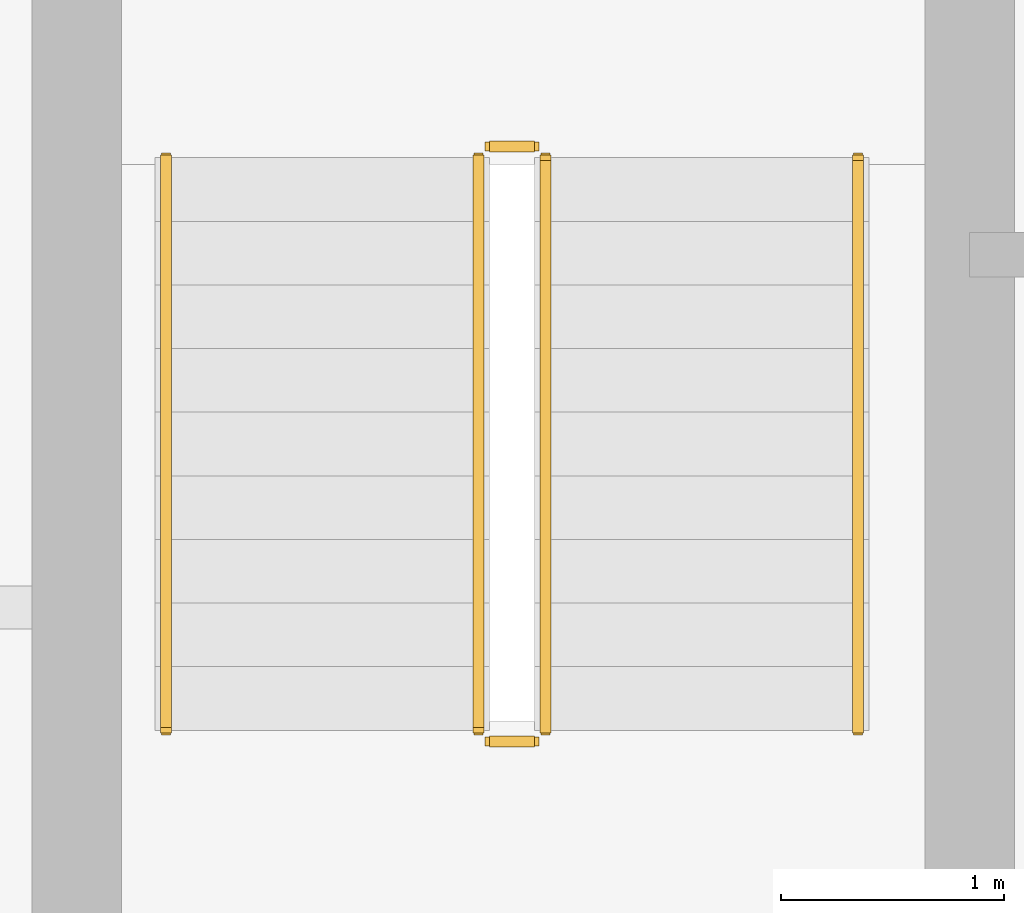
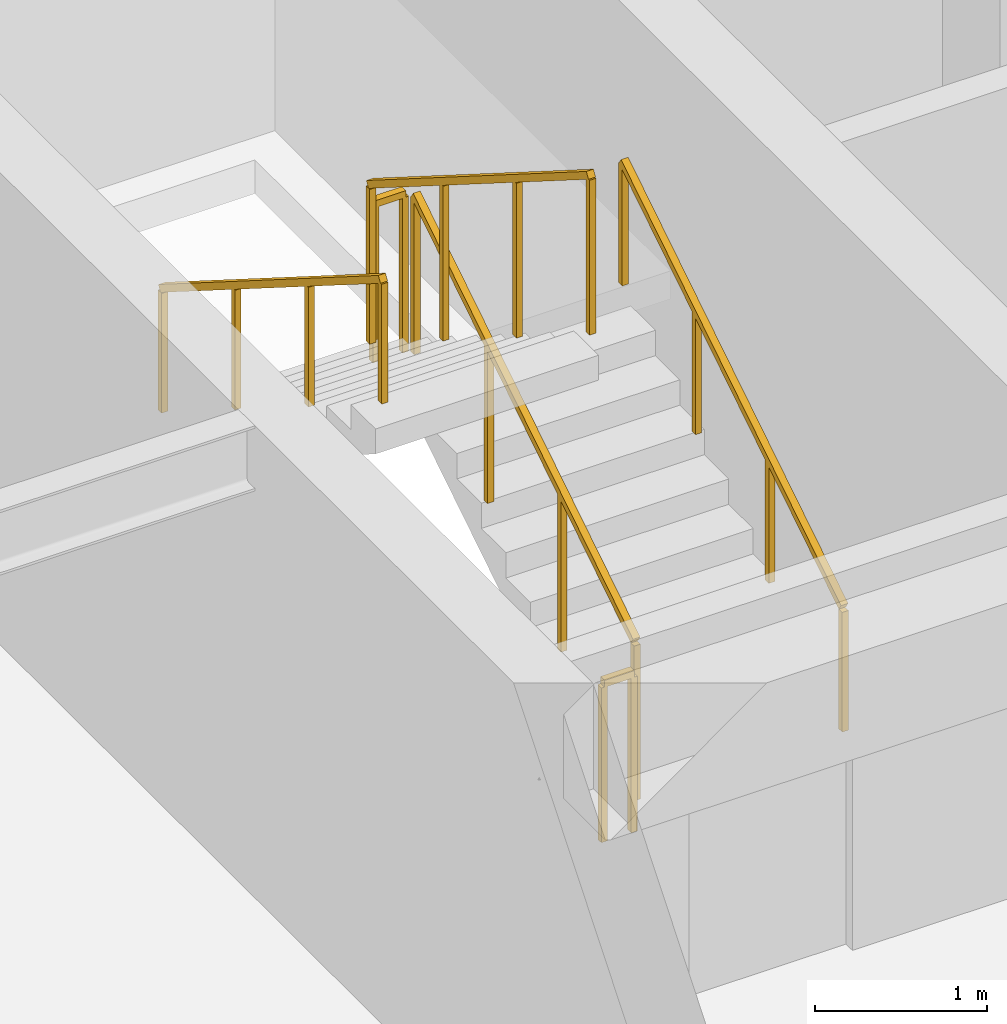
# One storey, part 21 of 23: 6 railings.
"""IFC4 building model written with IfcOpenShell, lengths in metres."""

from ifc_helpers import new_model, si_unit, direction, frame, origin, origin_2d, place, context, subcontext, project, spatial, rectangle, extrude, material, type_object, element, save


model = new_model("IFC4")

# Units and contexts
model_context = context("Model", 3, precision=1e-05, world=origin(), true_north=direction((0.0, 1.0)))
body_context = subcontext(model_context, "Body", "Model", "MODEL_VIEW")
ifc_project = project(units=[si_unit("LENGTHUNIT", "METRE"), si_unit("AREAUNIT", "SQUARE_METRE"), si_unit("VOLUMEUNIT", "CUBIC_METRE"), si_unit("PLANEANGLEUNIT", "RADIAN"), si_unit("MASSUNIT", "GRAM", prefix="KILO")], contexts=[model_context])

# Site, building, storey
site_placement = place(None, origin())
site = spatial("IfcSite", under=ifc_project, at=site_placement, CompositionType="ELEMENT")
building_placement = place(site_placement, origin())
building = spatial("IfcBuilding", under=site, at=building_placement, Name="Sarneth Arch Tower", CompositionType="ELEMENT")
storey_placement = place(building_placement, frame((0.0, 0.0, 249.60009765625)))
storey = spatial("IfcBuildingStorey", under=building, at=storey_placement, Name="L64", CompositionType="ELEMENT", Elevation=249.60009765625)

# Railings
ifc_material_1 = material(Name="Brushed Stainless Steel 304 tubular handrail", Category="steel")
railing_type_1 = type_object("IfcRailingType", Name="RAIL-HANDRAIL-900", PredefinedType="HANDRAIL", material=ifc_material_1)
railing_1_placement = place(storey_placement, frame((40.5, 41.449951171875, 0.179931640625)))
element("IfcRailing", 1, at=railing_1_placement, inside=storey, type_object=railing_type_1, Name="L64 ST-1 stair handrail 1", PredefinedType="HANDRAIL", context=body_context, shape_type="SweptSolid", body=[
    extrude(rectangle(XDim=0.048095703125, YDim=0.048095703125, at=origin_2d()), frame((0.0, 0.0, 0.8759765625), z_axis=(0.0, 0.845502289212, 0.533971796014), x_axis=(-1.0, 0.0, 0.0)), (0.0, 0.0, 1.0), 3.03369140625),
    extrude(rectangle(XDim=0.0419921875, YDim=0.0419921875, at=origin_2d()), origin(), (0.0, 0.0, 1.0), 0.851806640625),
    extrude(rectangle(XDim=0.0419921875, YDim=0.0419921875, at=origin_2d()), frame((0.0, 0.85498046875, 0.5400390625)), (0.0, 0.0, 1.0), 0.851806640625),
    extrude(rectangle(XDim=0.0419921875, YDim=0.0419921875, at=origin_2d()), frame((0.0, 1.7099609375, 1.079833984375)), (0.0, 0.0, 1.0), 0.851806640625),
    extrude(rectangle(XDim=0.0419921875, YDim=0.0419921875, at=origin_2d()), frame((0.0, 2.56494140625, 1.619873046875)), (0.0, 0.0, 1.0), 0.851806640625),
])
railing_2_placement = place(storey_placement, frame((37.39990234375, 44.014892578125, 1.97998046875)))
element("IfcRailing", 2, at=railing_2_placement, inside=storey, type_object=railing_type_1, Name="L64 ST-1 stair handrail 2", PredefinedType="HANDRAIL", context=body_context, shape_type="SweptSolid", body=[
    extrude(rectangle(XDim=0.048095703125, YDim=0.048095703125, at=origin_2d()), frame((0.0, 0.0, 0.8759765625), z_axis=(0.0, -0.845502289212, 0.533971796014), x_axis=(1.0, 0.0, 0.0)), (0.0, 0.0, 1.0), 3.03369140625),
    extrude(rectangle(XDim=0.0419921875, YDim=0.0419921875, at=origin_2d()), origin(), (0.0, 0.0, 1.0), 0.851806640625),
    extrude(rectangle(XDim=0.0419921875, YDim=0.0419921875, at=origin_2d()), frame((0.0, -0.85498046875, 0.5400390625)), (0.0, 0.0, 1.0), 0.851806640625),
    extrude(rectangle(XDim=0.0419921875, YDim=0.0419921875, at=origin_2d()), frame((0.0, -1.7099609375, 1.079833984375)), (0.0, 0.0, 1.0), 0.851806640625),
    extrude(rectangle(XDim=0.0419921875, YDim=0.0419921875, at=origin_2d()), frame((0.0, -2.56494140625, 1.619873046875)), (0.0, 0.0, 1.0), 0.851806640625),
])
ifc_material_2 = material(Name="Painted Steel S275 stair well guard", Category="steel")
railing_type_2 = type_object("IfcRailingType", Name="RAIL-STAIR-GUARD", PredefinedType="GUARDRAIL", material=ifc_material_2)
railing_3_placement = place(storey_placement, frame((39.10009765625, 41.449951171875, 0.179931640625)))
element("IfcRailing", 3, at=railing_3_placement, inside=storey, type_object=railing_type_2, Name="L64 ST-1 stair guard 1", PredefinedType="GUARDRAIL", context=body_context, shape_type="SweptSolid", body=[
    extrude(rectangle(XDim=0.048095703125, YDim=0.048095703125, at=origin_2d()), frame((0.0, 0.0, 1.1259765625), z_axis=(0.0, 0.845502289212, 0.533971796014), x_axis=(-1.0, 0.0, 0.0)), (0.0, 0.0, 1.0), 3.03369140625),
    extrude(rectangle(XDim=0.0419921875, YDim=0.0419921875, at=origin_2d()), origin(), (0.0, 0.0, 1.0), 1.101806640625),
    extrude(rectangle(XDim=0.0419921875, YDim=0.0419921875, at=origin_2d()), frame((0.0, 0.85498046875, 0.5400390625)), (0.0, 0.0, 1.0), 1.101806640625),
    extrude(rectangle(XDim=0.0419921875, YDim=0.0419921875, at=origin_2d()), frame((0.0, 1.7099609375, 1.079833984375)), (0.0, 0.0, 1.0), 1.101806640625),
    extrude(rectangle(XDim=0.0419921875, YDim=0.0419921875, at=origin_2d()), frame((0.0, 2.56494140625, 1.619873046875)), (0.0, 0.0, 1.0), 1.101806640625),
])
railing_4_placement = place(storey_placement, frame((39.050048828125, 44.06494140625, 1.7998046875)))
element("IfcRailing", 4, at=railing_4_placement, inside=storey, type_object=railing_type_2, Name="L64 ST-1 stair guard 2", PredefinedType="GUARDRAIL", context=body_context, shape_type="SweptSolid", body=[
    extrude(rectangle(XDim=0.048095703125, YDim=0.048095703125, at=origin_2d()), frame((0.0, 0.0, 1.1259765625), z_axis=(-1.0, 0.0, 0.0), x_axis=(0.0, -1.0, 0.0)), (0.0, 0.0, 1.0), 0.199951171875),
    extrude(rectangle(XDim=0.0419921875, YDim=0.0419921875, at=origin_2d()), origin(), (0.0, 0.0, 1.0), 1.101806640625),
    extrude(rectangle(XDim=0.0419921875, YDim=0.0419921875, at=origin_2d()), frame((-0.199951171875, 0.0, 0.0)), (0.0, 0.0, 1.0), 1.101806640625),
])
railing_5_placement = place(storey_placement, frame((38.800048828125, 44.014892578125, 1.97998046875)))
element("IfcRailing", 5, at=railing_5_placement, inside=storey, type_object=railing_type_2, Name="L64 ST-1 stair guard 3", PredefinedType="GUARDRAIL", context=body_context, shape_type="SweptSolid", body=[
    extrude(rectangle(XDim=0.048095703125, YDim=0.048095703125, at=origin_2d()), frame((0.0, 0.0, 1.1259765625), z_axis=(0.0, -0.845502289212, 0.533971796014), x_axis=(1.0, 0.0, 0.0)), (0.0, 0.0, 1.0), 3.03369140625),
    extrude(rectangle(XDim=0.0419921875, YDim=0.0419921875, at=origin_2d()), origin(), (0.0, 0.0, 1.0), 1.101806640625),
    extrude(rectangle(XDim=0.0419921875, YDim=0.0419921875, at=origin_2d()), frame((0.0, -0.85498046875, 0.5400390625)), (0.0, 0.0, 1.0), 1.101806640625),
    extrude(rectangle(XDim=0.0419921875, YDim=0.0419921875, at=origin_2d()), frame((0.0, -1.7099609375, 1.079833984375)), (0.0, 0.0, 1.0), 1.101806640625),
    extrude(rectangle(XDim=0.0419921875, YDim=0.0419921875, at=origin_2d()), frame((0.0, -2.56494140625, 1.619873046875)), (0.0, 0.0, 1.0), 1.101806640625),
])
railing_6_placement = place(storey_placement, frame((39.050048828125, 41.39990234375, 0.0)))
element("IfcRailing", 6, at=railing_6_placement, inside=storey, type_object=railing_type_2, Name="L64 ST-1 stair guard 4", PredefinedType="GUARDRAIL", context=body_context, shape_type="SweptSolid", body=[
    extrude(rectangle(XDim=0.048095703125, YDim=0.048095703125, at=origin_2d()), frame((0.0, 0.0, 1.1259765625), z_axis=(-1.0, 0.0, 0.0), x_axis=(0.0, -1.0, 0.0)), (0.0, 0.0, 1.0), 0.199951171875),
    extrude(rectangle(XDim=0.0419921875, YDim=0.0419921875, at=origin_2d()), origin(), (0.0, 0.0, 1.0), 1.101806640625),
    extrude(rectangle(XDim=0.0419921875, YDim=0.0419921875, at=origin_2d()), frame((-0.199951171875, 0.0, 0.0)), (0.0, 0.0, 1.0), 1.101806640625),
])

save(model, "model.ifc")
